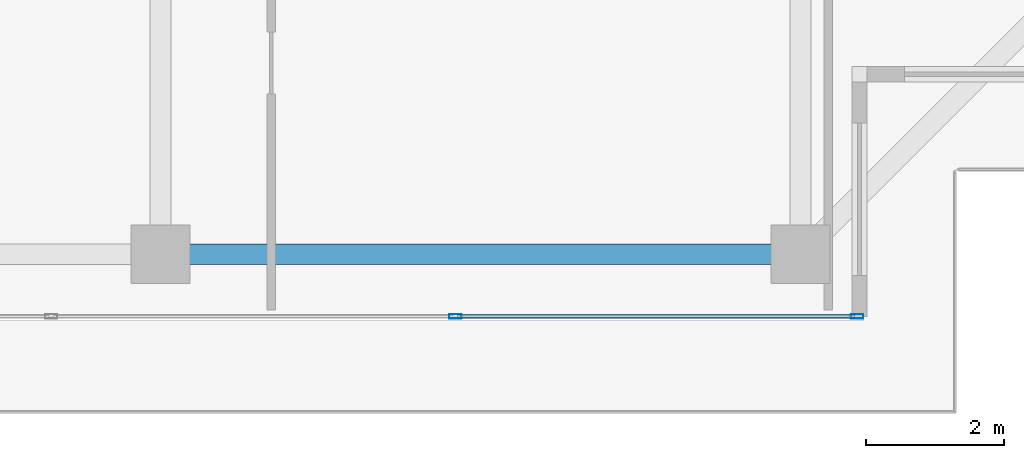
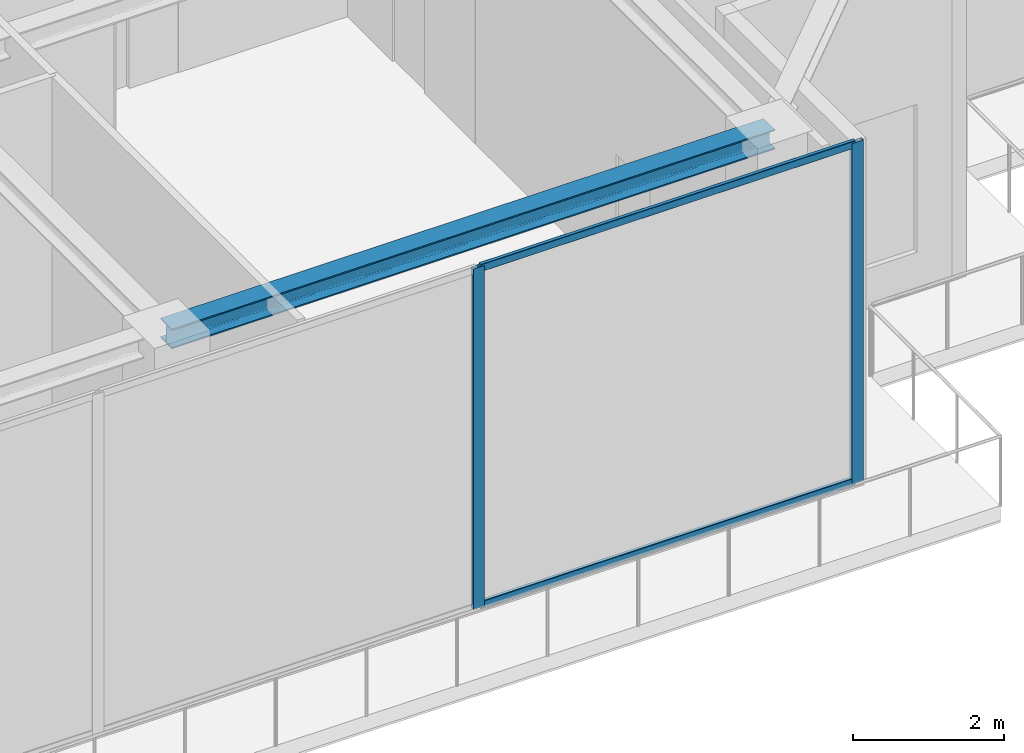
# One storey, part 11 of 38: 4 members, 1 beam, 1 element without a shape of its own.
"""IFC4 building model written with IfcOpenShell, lengths in metres."""

from ifc_helpers import new_model, si_unit, direction, frame, origin, origin_2d, place, context, subcontext, project, spatial, hollow_rectangle, i_section, extrude, source, transform, mapped, material, layer, layer_set, material_profile, profile_set, type_object, element, aggregate, save


model = new_model("IFC4")

# Units and contexts
model_context = context("Model", 3, precision=1e-05, world=origin(), true_north=direction((0.0, 1.0)))
body_context = subcontext(model_context, "Body", "Model", "MODEL_VIEW")
ifc_project = project(units=[si_unit("LENGTHUNIT", "METRE"), si_unit("AREAUNIT", "SQUARE_METRE"), si_unit("VOLUMEUNIT", "CUBIC_METRE"), si_unit("PLANEANGLEUNIT", "RADIAN"), si_unit("MASSUNIT", "GRAM", prefix="KILO")], contexts=[model_context])

# Site, building, storey
site_placement = place(None, origin())
site = spatial("IfcSite", under=ifc_project, at=site_placement, CompositionType="ELEMENT")
building_placement = place(site_placement, origin())
building = spatial("IfcBuilding", under=site, at=building_placement, Name="Serunith Strait Residences", CompositionType="ELEMENT")
storey_placement = place(building_placement, frame((0.0, 0.0, 353.85009765625)))
storey = spatial("IfcBuildingStorey", under=building, at=storey_placement, Name="L87", CompositionType="ELEMENT", Elevation=353.85009765625)

# Beam
ifc_material_1 = material(Name="Steel S355J2", Category="steel")
ifc_material_profile_1 = material_profile(ifc_material_1, i_section(OverallWidth=0.300048828125, OverallDepth=0.320068359375, WebThickness=0.011474609375, FlangeThickness=0.0205078125, FilletRadius=0.027099609375, at=origin_2d()), Name="HEB 320")
ifc_profile_set_1 = profile_set([ifc_material_profile_1], Name="Steel S355J2")
beam_type = type_object("IfcBeamType", Name="BM-HEB320", PredefinedType="BEAM", material=ifc_profile_set_1)
shared_shape_1 = source(origin(), body_context, "Body", "SweptSolid", [
    extrude(i_section(OverallWidth=0.300048828125, OverallDepth=0.320068359375, WebThickness=0.011474609375, FlangeThickness=0.0205078125, FilletRadius=0.027099609375, at=origin_2d()), origin(), (0.0, 0.0, 1.0), 9.25),
])
beam_placement = place(storey_placement, frame((36.89990234375, 4.89990234375, 5.376953125), z_axis=(1.0, 0.0, 0.0), x_axis=(0.0, 1.0, 0.0)))
element("IfcBeam", 1, at=beam_placement, inside=storey, type_object=beam_type, Name="L87 Perimeter Ring Beam 03", PredefinedType="BEAM", context=body_context, shape_type="MappedRepresentation", body=[
    mapped(shared_shape_1, transform((0.0, 0.0, 0.0), scale=1.0)),
])

# Curtain wall, members
ifc_material_2 = material(Name="Brushed Stainless-Silver Aluminium", Category="aluminium")
ifc_layer = layer(ifc_material_2, 0.199951171875, Name="Brushed Stainless-Silver Aluminium")
ifc_layer_set = layer_set([ifc_layer], Name="Brushed Stainless-Silver Aluminium")
curtain_wall_type = type_object("IfcCurtainWallType", Name="CW-SYS5", PredefinedType="NOTDEFINED", material=ifc_layer_set)
curtain_wall_placement = place(storey_placement, origin())
curtain_wall = element("IfcCurtainWall", 2, at=curtain_wall_placement, inside=storey, type_object=curtain_wall_type, Name="L87 S Unitised Fritted Curtain Wall", PredefinedType="NOTDEFINED")
ifc_material_profile_2 = material_profile(ifc_material_2, hollow_rectangle(XDim=0.06005859375, YDim=0.1201171875, WallThickness=0.00341796875, InnerFilletRadius=0.00537109375, OuterFilletRadius=0.0087890625, at=origin_2d()), Name="ALU 120x60x3.5")
ifc_profile_set_2 = profile_set([ifc_material_profile_2], Name="Brushed Stainless-Silver Aluminium")
member_type_1 = type_object("IfcMemberType", Name="CW-SYS5-TRAN", PredefinedType="USERDEFINED", material=ifc_profile_set_2)
shared_shape_2 = source(origin(), body_context, "Body", "SweptSolid", [
    extrude(hollow_rectangle(XDim=0.06005859375, YDim=0.1201171875, WallThickness=0.00341796875, InnerFilletRadius=0.00537109375, OuterFilletRadius=0.0087890625, at=origin_2d()), origin(), (0.0, 0.0, 1.0), 5.74267578125),
])
member_1_placement = place(storey_placement, frame((41.1923828125, 4.0, 0.02978515625), z_axis=(1.0, 0.0, 0.0), x_axis=(0.0, 1.0, 0.0)))
member_1 = element("IfcMember", 3, at=member_1_placement, type_object=member_type_1, Name="CW-5 transom 5.1", ObjectType="TRANSOM", PredefinedType="USERDEFINED", context=body_context, shape_type="MappedRepresentation", body=[
    mapped(shared_shape_2, transform((0.0, 0.0, 0.0), scale=1.0)),
])
member_2_placement = place(storey_placement, frame((41.1923828125, 4.0, 5.494873046875), z_axis=(1.0, 0.0, 0.0), x_axis=(0.0, 1.0, 0.0)))
member_2 = element("IfcMember", 4, at=member_2_placement, type_object=member_type_1, Name="CW-5 transom 5.2", ObjectType="TRANSOM", PredefinedType="USERDEFINED", context=body_context, shape_type="MappedRepresentation", body=[
    mapped(shared_shape_2, transform((0.0, 0.0, 0.0), scale=1.0)),
])
ifc_material_profile_3 = material_profile(ifc_material_2, hollow_rectangle(XDim=0.06494140625, YDim=0.179931640625, WallThickness=0.00341796875, InnerFilletRadius=0.00537109375, OuterFilletRadius=0.0087890625, at=origin_2d()), Name="ALU 180x65x3.5")
ifc_profile_set_3 = profile_set([ifc_material_profile_3], Name="Brushed Stainless-Silver Aluminium")
member_type_2 = type_object("IfcMemberType", Name="CW-SYS5-MULL", PredefinedType="MULLION", material=ifc_profile_set_3)
shared_shape_3 = source(origin(), body_context, "Body", "SweptSolid", [
    extrude(hollow_rectangle(XDim=0.06494140625, YDim=0.179931640625, WallThickness=0.00341796875, InnerFilletRadius=0.00537109375, OuterFilletRadius=0.0087890625, at=origin_2d()), origin(), (0.0, 0.0, 1.0), 5.52490234375),
])
member_3_placement = place(storey_placement, frame((41.159912109375, 4.0, 0.0), z_axis=(0.0, 0.0, 1.0), x_axis=(0.0, 1.0, 0.0)))
member_3 = element("IfcMember", 5, at=member_3_placement, type_object=member_type_2, Name="CW-5 mullion 5", PredefinedType="MULLION", context=body_context, shape_type="MappedRepresentation", body=[
    mapped(shared_shape_3, transform((0.0, 0.0, 0.0), scale=1.0)),
])
member_4_placement = place(storey_placement, frame((46.967529296875, 4.0, 0.0), z_axis=(0.0, 0.0, 1.0), x_axis=(0.0, 1.0, 0.0)))
member_4 = element("IfcMember", 6, at=member_4_placement, type_object=member_type_2, Name="CW-5 mullion 6", PredefinedType="MULLION", context=body_context, shape_type="MappedRepresentation", body=[
    mapped(shared_shape_3, transform((0.0, 0.0, 0.0), scale=1.0)),
])
aggregate(curtain_wall, [member_3, member_4, member_1, member_2])

save(model, "model.ifc")
